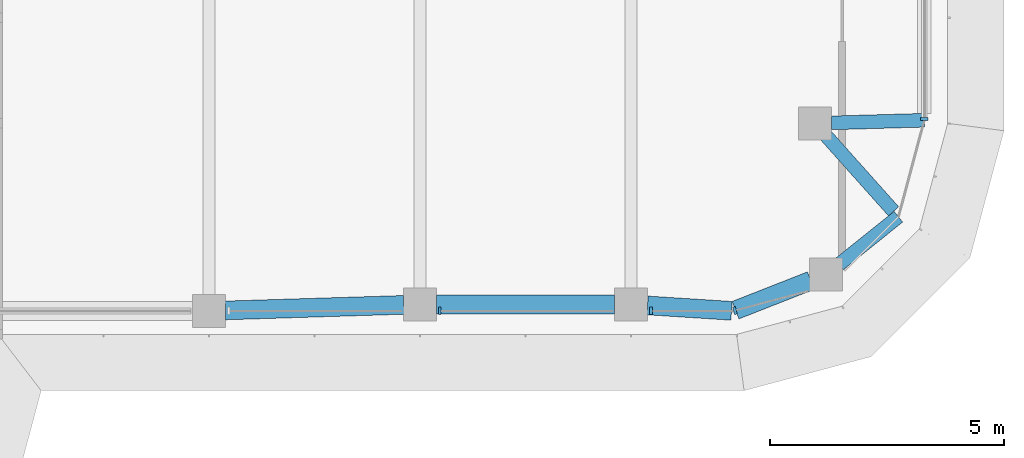
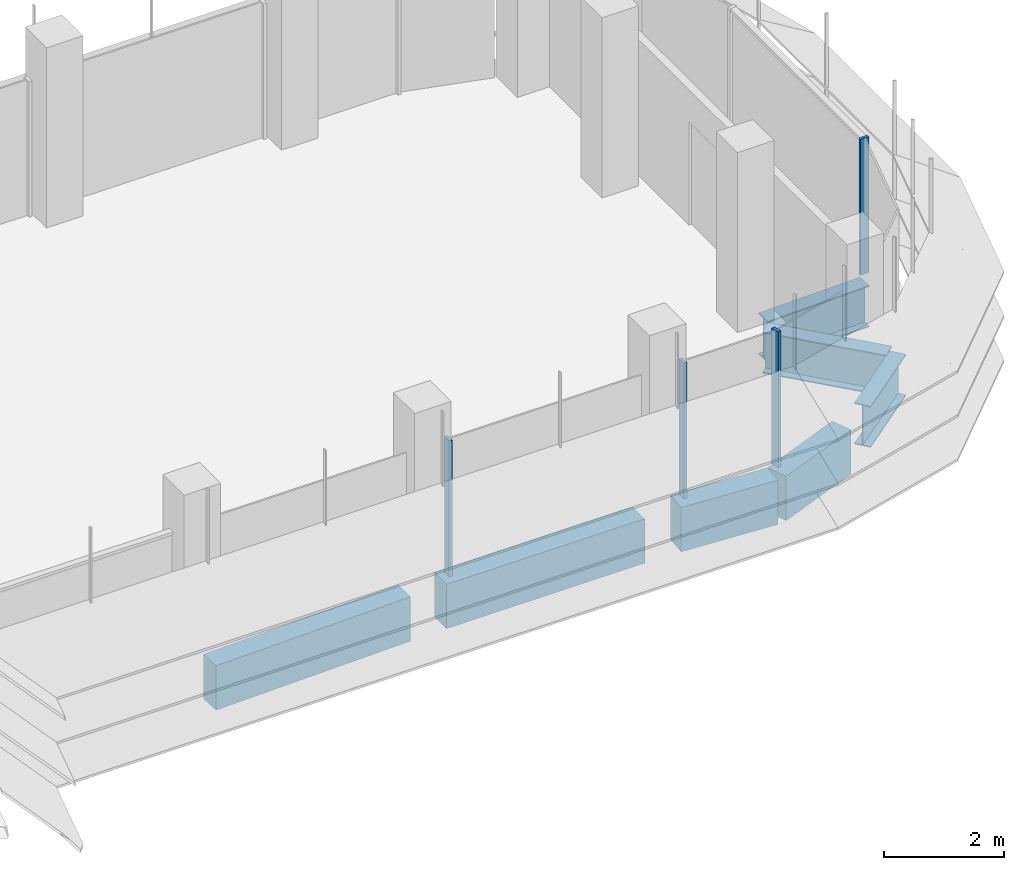
# One storey, part 5 of 19: 7 beams, 4 members, 3 elements without a shape of their own.
"""IFC4 building model written with IfcOpenShell, lengths in metres."""

from ifc_helpers import new_model, si_unit, direction, frame, origin, origin_2d, place, context, subcontext, project, spatial, polyline, rectangle, i_section, outline, extrude, source, transform, mapped, material, material_profile, profile_set, type_object, element, aggregate, save


model = new_model("IFC4")

# Units and contexts
model_context = context("Model", 3, precision=1e-05, world=origin(), true_north=direction((0.0, 1.0)))
body_context = subcontext(model_context, "Body", "Model", "MODEL_VIEW")
ifc_project = project(units=[si_unit("LENGTHUNIT", "METRE"), si_unit("AREAUNIT", "SQUARE_METRE"), si_unit("VOLUMEUNIT", "CUBIC_METRE"), si_unit("PLANEANGLEUNIT", "RADIAN"), si_unit("MASSUNIT", "GRAM", prefix="KILO")], contexts=[model_context])

# Site, building, storey
site_placement = place(None, origin())
site = spatial("IfcSite", under=ifc_project, at=site_placement, CompositionType="ELEMENT")
building_placement = place(site_placement, origin())
building = spatial("IfcBuilding", under=site, at=building_placement, Name="Zarbagh Exchange Tower", CompositionType="ELEMENT")
storey_placement = place(building_placement, frame((0.0, 0.0, 218.199951171875)))
storey = spatial("IfcBuildingStorey", under=building, at=storey_placement, Name="L53", CompositionType="ELEMENT", Elevation=218.199951171875)

# Beams
ifc_material_1 = material(Name="Steel ASTM A992 Gr 50", Category="steel")
ifc_material_profile_1 = material_profile(ifc_material_1, i_section(OverallWidth=0.2919921875, OverallDepth=0.835693359375, WebThickness=0.013916015625, FlangeThickness=0.018798828125, at=origin_2d()), Name="W33X118")
ifc_profile_set_1 = profile_set([ifc_material_profile_1], Name="Steel ASTM A992 Gr 50")
beam_type_1 = type_object("IfcBeamType", Name="Floor girder W33X118", PredefinedType="BEAM", material=ifc_profile_set_1)
beam_1_placement = place(storey_placement, frame((31.0, -2.18408203125, -0.56787109375), z_axis=(-0.999601581355, -0.028225494714, 0.0), x_axis=(0.028225494714, -0.999601581355, 0.0)))
element("IfcBeam", 1, at=beam_1_placement, inside=storey, type_object=beam_type_1, Name="Steel girder", PredefinedType="BEAM", context=body_context, shape_type="SweptSolid", body=[
    extrude(i_section(OverallWidth=0.2919921875, OverallDepth=0.835693359375, WebThickness=0.013916015625, FlangeThickness=0.018798828125, at=origin_2d()), origin(), (0.0, 0.0, 1.0), 1.980712890625),
])
beam_2_placement = place(storey_placement, frame((28.9033203125, -2.510986328125, -0.56787109375), z_axis=(0.666194955403, -0.745777635355, 0.0), x_axis=(0.745777635355, 0.666194955403, 0.0)))
element("IfcBeam", 2, at=beam_2_placement, inside=storey, type_object=beam_type_1, Name="Steel girder", PredefinedType="BEAM", context=body_context, shape_type="SweptSolid", body=[
    extrude(i_section(OverallWidth=0.2919921875, OverallDepth=0.835693359375, WebThickness=0.013916015625, FlangeThickness=0.018798828125, at=origin_2d()), origin(), (0.0, 0.0, 1.0), 2.165771484375),
])
beam_3_placement = place(storey_placement, frame((30.44873046875, -4.2412109375, -0.56787109375), z_axis=(-0.780619385558, -0.625006699877, 0.0), x_axis=(0.625006699877, -0.780619385558, 0.0)))
element("IfcBeam", 3, at=beam_3_placement, inside=storey, type_object=beam_type_1, Name="Steel girder", PredefinedType="BEAM", context=body_context, shape_type="SweptSolid", body=[
    extrude(i_section(OverallWidth=0.2919921875, OverallDepth=0.835693359375, WebThickness=0.013916015625, FlangeThickness=0.018798828125, at=origin_2d()), origin(), (0.0, 0.0, 1.0), 1.623779296875),
])
ifc_material_2 = material(Name="Concrete C50/60", Category="concrete")
ifc_material_profile_2 = material_profile(ifc_material_2, rectangle(XDim=0.39990234375, YDim=0.89990234375, at=origin_2d()), Name="RC spandrel beam 400 x 900 C50/60")
ifc_profile_set_2 = profile_set([ifc_material_profile_2], Name="Concrete C50/60")
beam_type_2 = type_object("IfcBeamType", Name="RC spandrel beam 400 x 900 C50/60", PredefinedType="SPANDREL", material=ifc_profile_set_2)
beam_4_placement = place(storey_placement, frame((28.582275390625, -5.602783203125, -0.599853515625), z_axis=(-0.930818525178, -0.365481700207, 0.0), x_axis=(0.365481700207, -0.930818525178, 0.0)))
element("IfcBeam", 4, at=beam_4_placement, inside=storey, type_object=beam_type_2, Name="RC spandrel beam", PredefinedType="SPANDREL", context=body_context, shape_type="SweptSolid", body=[
    extrude(rectangle(XDim=0.39990234375, YDim=0.89990234375, at=origin_2d()), origin(), (0.0, 0.0, 1.0), 1.72607421875),
])
beam_5_placement = place(storey_placement, frame((26.8896484375, -6.247314453125, -0.599853515625), z_axis=(-0.997943601797, 0.064098109429, 0.0), x_axis=(-0.064098109429, -0.997943601797, 0.0)))
element("IfcBeam", 5, at=beam_5_placement, inside=storey, type_object=beam_type_2, Name="RC spandrel beam", PredefinedType="SPANDREL", context=body_context, shape_type="SweptSolid", body=[
    extrude(rectangle(XDim=0.39990234375, YDim=0.89990234375, at=origin_2d()), origin(), (0.0, 0.0, 1.0), 1.7939453125),
])
beam_6_placement = place(storey_placement, frame((24.39990234375, -6.110107421875, -0.599853515625), z_axis=(-1.0, 0.0, 0.0), x_axis=(0.0, -1.0, 0.0)))
element("IfcBeam", 6, at=beam_6_placement, inside=storey, type_object=beam_type_2, Name="RC spandrel beam", PredefinedType="SPANDREL", context=body_context, shape_type="SweptSolid", body=[
    extrude(rectangle(XDim=0.39990234375, YDim=0.89990234375, at=origin_2d()), origin(), (0.0, 0.0, 1.0), 3.7998046875),
])
beam_7_placement = place(storey_placement, frame((19.900146484375, -6.120849609375, -0.599853515625), z_axis=(-0.999516950199, -0.031078389046, 0.0), x_axis=(0.031078389046, -0.999516950199, 0.0)))
element("IfcBeam", 7, at=beam_7_placement, inside=storey, type_object=beam_type_2, Name="RC spandrel beam", PredefinedType="SPANDREL", context=body_context, shape_type="SweptSolid", body=[
    extrude(rectangle(XDim=0.39990234375, YDim=0.89990234375, at=origin_2d()), origin(), (0.0, 0.0, 1.0), 3.80224609375),
])

# Curtain wall, members
ifc_material_3 = material(Name="Anodised aluminium frame and glazing", Category="aluminium")
curtain_wall_type = type_object("IfcCurtainWallType", Name="CWB Ribbon glazing, upper zones", PredefinedType="NOTDEFINED", material=ifc_material_3)
curtain_wall_1_placement = place(storey_placement, origin())
curtain_wall_1 = element("IfcCurtainWall", 8, at=curtain_wall_1_placement, inside=storey, type_object=curtain_wall_type, Name="CWB08 curtain wall", PredefinedType="NOTDEFINED")
ifc_material_4 = material(Name="Anodised aluminium frame", Category="aluminium")
member_type = type_object("IfcMemberType", Name="MUB Mullion, anodised aluminium frame", PredefinedType="MULLION", material=ifc_material_4)
shared_shape = source(origin(), body_context, "Body", "SweptSolid", [
    extrude(outline(polyline([(0.0, -0.080078125), (0.06005859375, -0.080078125), (0.06005859375, 0.080078125), (0.0, 0.080078125), (0.0, -0.080078125)])), origin(), (0.0, 0.0, 1.0), 2.75),
])
placement = place(storey_placement, origin())
member_1 = element("IfcMember", 9, at=placement, type_object=member_type, Name="CWB08 mullion 3.1", PredefinedType="MULLION", context=body_context, shape_type="MappedRepresentation", body=[
    mapped(shared_shape, transform((20.64013671875, -6.25, 0.0), x_axis=(1.0, 0.0, 0.0), y_axis=(0.0, 1.0, 0.0), z_axis=(0.0, 0.0, 1.0))),
])
member_2 = element("IfcMember", 10, at=placement, type_object=member_type, Name="CWB08 mullion 4.1", PredefinedType="MULLION", context=body_context, shape_type="MappedRepresentation", body=[
    mapped(shared_shape, transform((25.14013671875, -6.25, 0.0), x_axis=(1.0, 0.0, 0.0), y_axis=(0.0, 1.0, 0.0), z_axis=(0.0, 0.0, 1.0))),
])
aggregate(curtain_wall_1, [member_1, member_2])

# Curtain wall, member
curtain_wall_2_placement = place(storey_placement, origin())
curtain_wall_2 = element("IfcCurtainWall", 11, at=curtain_wall_2_placement, inside=storey, type_object=curtain_wall_type, Name="CWB09 curtain wall", PredefinedType="NOTDEFINED")
member_3 = element("IfcMember", 12, at=placement, type_object=member_type, Name="CWB09 mullion 1.1", PredefinedType="MULLION", context=body_context, shape_type="MappedRepresentation", body=[
    mapped(shared_shape, transform((26.93408203125, -6.25, 0.0), x_axis=(0.965924289636, 0.258824779902, 0.0), y_axis=(-0.258824779902, 0.965924289636, 0.0), z_axis=(0.0, 0.0, 1.0))),
])
aggregate(curtain_wall_2, [member_3])

curtain_wall_3_placement = place(storey_placement, origin())
curtain_wall_3 = element("IfcCurtainWall", 13, at=curtain_wall_3_placement, inside=storey, type_object=curtain_wall_type, Name="CWB12 curtain wall", PredefinedType="NOTDEFINED")
member_4 = element("IfcMember", 14, at=placement, type_object=member_type, Name="CWB12 mullion 1.1", PredefinedType="MULLION", context=body_context, shape_type="MappedRepresentation", body=[
    mapped(shared_shape, transform((31.0, -2.18408203125, 0.0), x_axis=(0.0, 1.0, 0.0), y_axis=(-1.0, 0.0, 0.0), z_axis=(0.0, 0.0, 1.0))),
])
aggregate(curtain_wall_3, [member_4])

save(model, "model.ifc")
